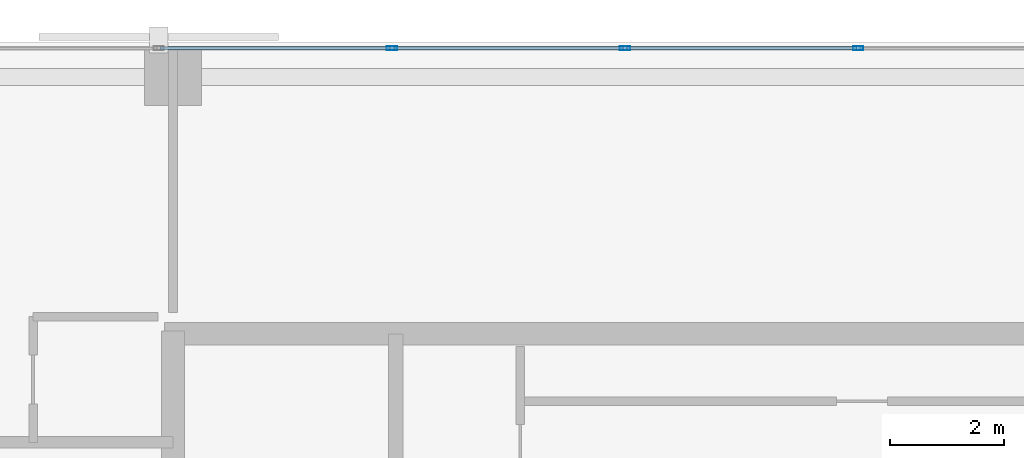
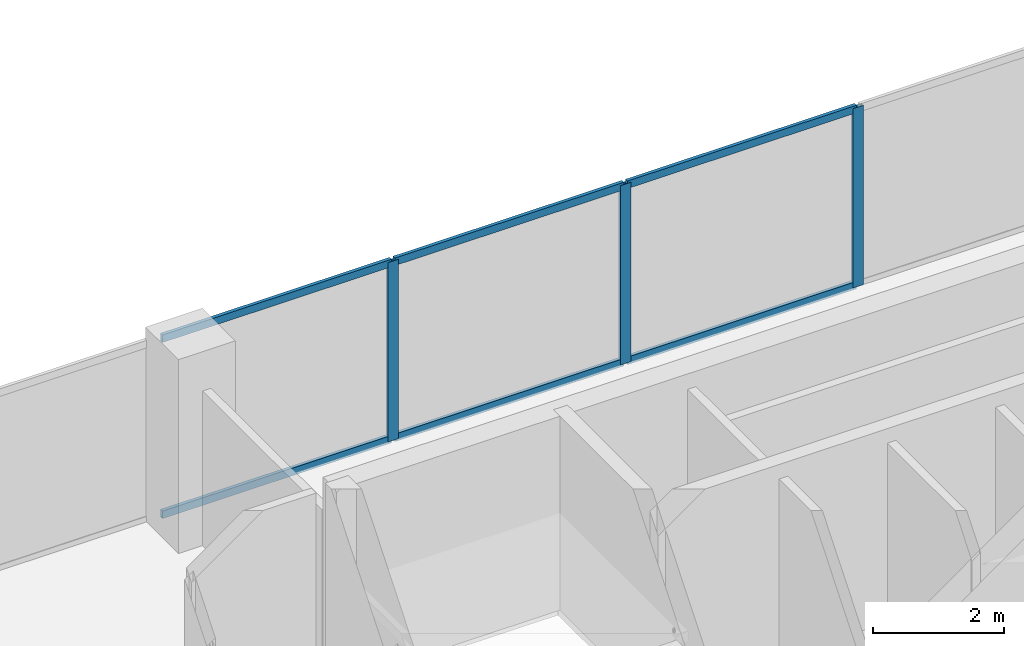
# One storey, part 21 of 32: 9 members, 1 element without a shape of its own.
"""IFC4 building model written with IfcOpenShell, lengths in metres."""

from ifc_helpers import new_model, si_unit, direction, frame, origin, origin_2d, place, context, subcontext, project, spatial, hollow_rectangle, extrude, material, layer, layer_set, material_profile, profile_set, type_object, element, aggregate, save


model = new_model("IFC4")

# Units and contexts
model_context = context("Model", 3, precision=1e-05, world=origin(), true_north=direction((0.0, 1.0)))
body_context = subcontext(model_context, "Body", "Model", "MODEL_VIEW")
ifc_project = project(units=[si_unit("LENGTHUNIT", "METRE"), si_unit("AREAUNIT", "SQUARE_METRE"), si_unit("VOLUMEUNIT", "CUBIC_METRE"), si_unit("PLANEANGLEUNIT", "RADIAN"), si_unit("MASSUNIT", "GRAM", prefix="KILO")], contexts=[model_context])

# Site, building, storey
site_placement = place(None, origin())
site = spatial("IfcSite", under=ifc_project, at=site_placement, CompositionType="ELEMENT")
building_placement = place(site_placement, origin())
building = spatial("IfcBuilding", under=site, at=building_placement, Name="Catumbela Crestline Tower", CompositionType="ELEMENT")
storey_placement = place(building_placement, frame((0.0, 0.0, 33.0)))
storey = spatial("IfcBuildingStorey", under=building, at=storey_placement, Name="L07", CompositionType="ELEMENT", Elevation=33.0)

# Curtain wall, members
ifc_material = material(Name="Aluminium alloy AW-6060-T66", Category="aluminium")
ifc_layer = layer(ifc_material, 0.18, Name="Aluminium alloy AW-6060-T66")
ifc_layer_set = layer_set([ifc_layer], Name="Aluminium alloy AW-6060-T66")
curtain_wall_type = type_object("IfcCurtainWallType", Name="CWU-Z1", PredefinedType="USERDEFINED", material=ifc_layer_set)
curtain_wall_placement = place(storey_placement, origin())
curtain_wall = element("IfcCurtainWall", 1, at=curtain_wall_placement, inside=storey, type_object=curtain_wall_type, Name="L07 Unitised Curtain Wall CW-L07-E7S1", ObjectType="UNITISED", PredefinedType="USERDEFINED")
ifc_material_profile_1 = material_profile(ifc_material, hollow_rectangle(XDim=0.065, YDim=0.18, WallThickness=0.004, at=origin_2d()), Name="ALU 180x65x4")
ifc_profile_set_1 = profile_set([ifc_material_profile_1], Name="Aluminium alloy AW-6060-T66")
member_type_1 = type_object("IfcMemberType", Name="MUL-180X65", PredefinedType="MULLION", material=ifc_profile_set_1)
member_1_placement = place(storey_placement, frame((28.0, 47.9, 0.0), z_axis=(0.0, 0.0, 1.0), x_axis=(0.0, -1.0, 0.0)))
member_1 = element("IfcMember", 2, at=member_1_placement, type_object=member_type_1, Name="CWU-Z1 mullion 7", PredefinedType="MULLION", context=body_context, shape_type="SweptSolid", body=[
    extrude(hollow_rectangle(XDim=0.065, YDim=0.18, WallThickness=0.004, at=origin_2d()), origin(), (0.0, 0.0, 1.0), 3.33),
])
member_2_placement = place(storey_placement, frame((23.9167, 47.9, 0.0), z_axis=(0.0, 0.0, 1.0), x_axis=(0.0, -1.0, 0.0)))
member_2 = element("IfcMember", 3, at=member_2_placement, type_object=member_type_1, Name="CWU-Z1 mullion 8", PredefinedType="MULLION", context=body_context, shape_type="SweptSolid", body=[
    extrude(hollow_rectangle(XDim=0.065, YDim=0.18, WallThickness=0.004, at=origin_2d()), origin(), (0.0, 0.0, 1.0), 3.33),
])
member_3_placement = place(storey_placement, frame((19.8333, 47.9, 0.0), z_axis=(0.0, 0.0, 1.0), x_axis=(0.0, -1.0, 0.0)))
member_3 = element("IfcMember", 4, at=member_3_placement, type_object=member_type_1, Name="CWU-Z1 mullion 9", PredefinedType="MULLION", context=body_context, shape_type="SweptSolid", body=[
    extrude(hollow_rectangle(XDim=0.065, YDim=0.18, WallThickness=0.004, at=origin_2d()), origin(), (0.0, 0.0, 1.0), 3.33),
])
ifc_material_profile_2 = material_profile(ifc_material, hollow_rectangle(XDim=0.06, YDim=0.14, WallThickness=0.004, at=origin_2d()), Name="ALU 140x60x4")
ifc_profile_set_2 = profile_set([ifc_material_profile_2], Name="Aluminium alloy AW-6060-T66")
member_type_2 = type_object("IfcMemberType", Name="TRN-140X60", PredefinedType="USERDEFINED", material=ifc_profile_set_2)
member_4_placement = place(storey_placement, frame((27.9675, 47.9, 0.03), z_axis=(-1.0, 0.0, 0.0), x_axis=(0.0, -1.0, 0.0)))
member_4 = element("IfcMember", 5, at=member_4_placement, type_object=member_type_2, Name="CWU-Z1 transom 7.1", ObjectType="TRANSOM", PredefinedType="USERDEFINED", context=body_context, shape_type="SweptSolid", body=[
    extrude(hollow_rectangle(XDim=0.06, YDim=0.14, WallThickness=0.004, at=origin_2d()), origin(), (0.0, 0.0, 1.0), 4.0183),
])
member_5_placement = place(storey_placement, frame((27.9675, 47.9, 3.3), z_axis=(-1.0, 0.0, 0.0), x_axis=(0.0, -1.0, 0.0)))
member_5 = element("IfcMember", 6, at=member_5_placement, type_object=member_type_2, Name="CWU-Z1 transom 7.2", ObjectType="TRANSOM", PredefinedType="USERDEFINED", context=body_context, shape_type="SweptSolid", body=[
    extrude(hollow_rectangle(XDim=0.06, YDim=0.14, WallThickness=0.004, at=origin_2d()), origin(), (0.0, 0.0, 1.0), 4.0183),
])
member_6_placement = place(storey_placement, frame((23.8842, 47.9, 0.03), z_axis=(-1.0, 0.0, 0.0), x_axis=(0.0, -1.0, 0.0)))
member_6 = element("IfcMember", 7, at=member_6_placement, type_object=member_type_2, Name="CWU-Z1 transom 8.1", ObjectType="TRANSOM", PredefinedType="USERDEFINED", context=body_context, shape_type="SweptSolid", body=[
    extrude(hollow_rectangle(XDim=0.06, YDim=0.14, WallThickness=0.004, at=origin_2d()), origin(), (0.0, 0.0, 1.0), 4.0184),
])
member_7_placement = place(storey_placement, frame((23.8842, 47.9, 3.3), z_axis=(-1.0, 0.0, 0.0), x_axis=(0.0, -1.0, 0.0)))
member_7 = element("IfcMember", 8, at=member_7_placement, type_object=member_type_2, Name="CWU-Z1 transom 8.2", ObjectType="TRANSOM", PredefinedType="USERDEFINED", context=body_context, shape_type="SweptSolid", body=[
    extrude(hollow_rectangle(XDim=0.06, YDim=0.14, WallThickness=0.004, at=origin_2d()), origin(), (0.0, 0.0, 1.0), 4.0184),
])
member_8_placement = place(storey_placement, frame((19.8008, 47.9, 0.03), z_axis=(-1.0, 0.0, 0.0), x_axis=(0.0, -1.0, 0.0)))
member_8 = element("IfcMember", 9, at=member_8_placement, type_object=member_type_2, Name="CWU-Z1 transom 9.1", ObjectType="TRANSOM", PredefinedType="USERDEFINED", context=body_context, shape_type="SweptSolid", body=[
    extrude(hollow_rectangle(XDim=0.06, YDim=0.14, WallThickness=0.004, at=origin_2d()), origin(), (0.0, 0.0, 1.0), 4.0183),
])
member_9_placement = place(storey_placement, frame((19.8008, 47.9, 3.3), z_axis=(-1.0, 0.0, 0.0), x_axis=(0.0, -1.0, 0.0)))
member_9 = element("IfcMember", 10, at=member_9_placement, type_object=member_type_2, Name="CWU-Z1 transom 9.2", ObjectType="TRANSOM", PredefinedType="USERDEFINED", context=body_context, shape_type="SweptSolid", body=[
    extrude(hollow_rectangle(XDim=0.06, YDim=0.14, WallThickness=0.004, at=origin_2d()), origin(), (0.0, 0.0, 1.0), 4.0183),
])
aggregate(curtain_wall, [member_1, member_2, member_3, member_4, member_5, member_6, member_7, member_8, member_9])

save(model, "model.ifc")
